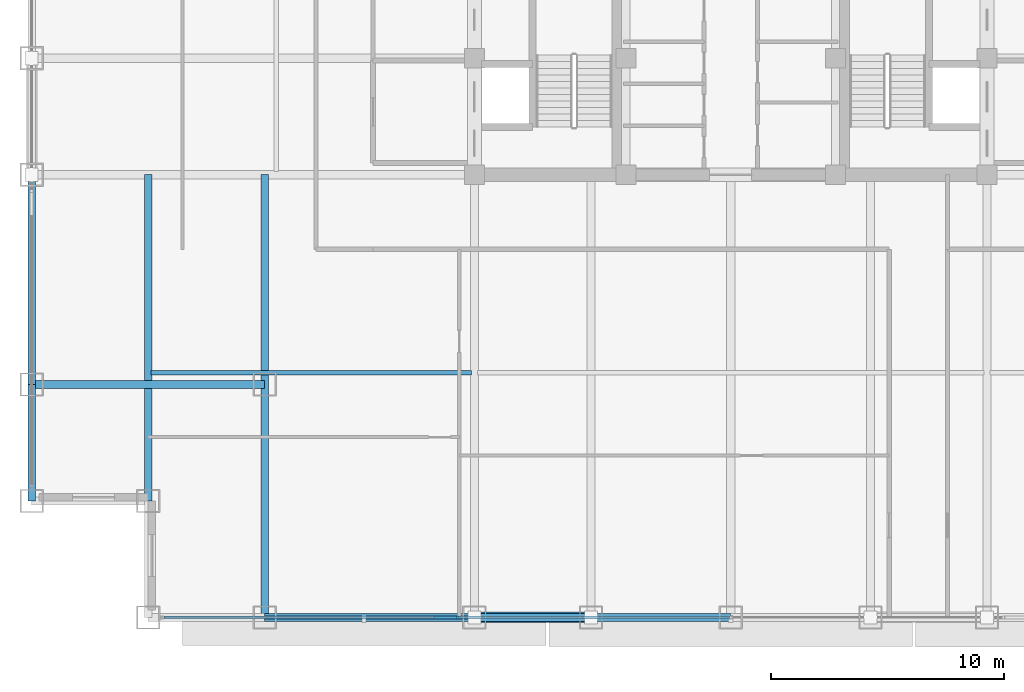
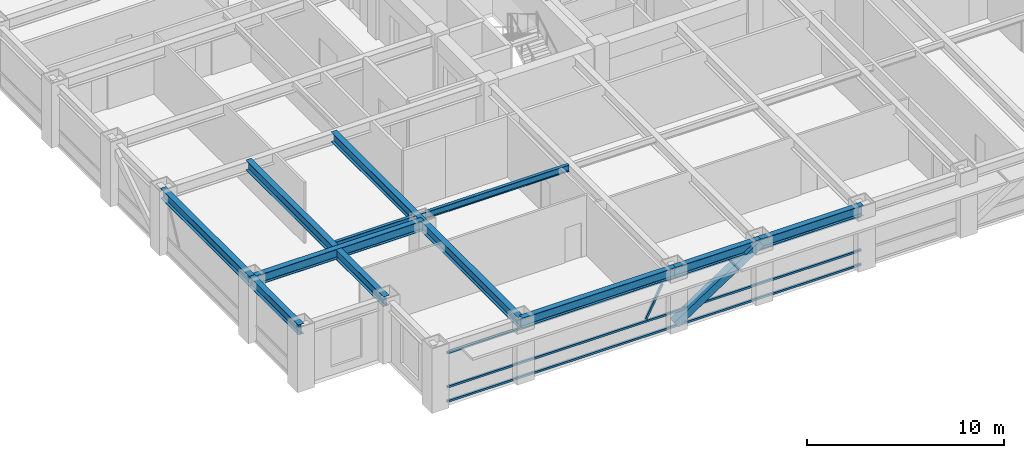
# One storey, part 3 of 29: 9 beams, 5 members, 1 element without a shape of its own.
"""IFC4 building model written with IfcOpenShell, lengths in metres."""

from ifc_helpers import new_model, si_unit, direction, frame, origin, origin_2d, place, context, subcontext, project, spatial, hollow_rectangle, i_section, extrude, source, transform, mapped, material, material_profile, profile_set, type_object, element, aggregate, save


model = new_model("IFC4")

# Units and contexts
model_context = context("Model", 3, precision=1e-05, world=origin(), true_north=direction((0.0, 1.0)))
body_context = subcontext(model_context, "Body", "Model", "MODEL_VIEW")
ifc_project = project(units=[si_unit("LENGTHUNIT", "METRE"), si_unit("AREAUNIT", "SQUARE_METRE"), si_unit("VOLUMEUNIT", "CUBIC_METRE"), si_unit("PLANEANGLEUNIT", "RADIAN"), si_unit("MASSUNIT", "GRAM", prefix="KILO")], contexts=[model_context])

# Site, building, storey
site_placement = place(None, origin())
site = spatial("IfcSite", under=ifc_project, at=site_placement, CompositionType="ELEMENT")
building_placement = place(site_placement, origin())
building = spatial("IfcBuilding", under=site, at=building_placement, Name="Khorayat Bourse Tower", CompositionType="ELEMENT")
storey_placement = place(building_placement, frame((0.0, 0.0, 235.10009765625)))
storey = spatial("IfcBuildingStorey", under=building, at=storey_placement, Name="L55", CompositionType="ELEMENT", Elevation=235.10009765625)

# Beams
ifc_material_1 = material(Name="Steel ASTM A992 Grade 50", Category="steel")
ifc_material_profile_1 = material_profile(ifc_material_1, i_section(OverallWidth=0.324951171875, OverallDepth=0.615966796875, WebThickness=0.013916015625, FlangeThickness=0.021484375, FilletRadius=0.01611328125, at=origin_2d()), Name="W610X174")
ifc_profile_set_1 = profile_set([ifc_material_profile_1], Name="Steel ASTM A992 Grade 50")
beam_type_1 = type_object("IfcBeamType", Name="BM-GIRD-610", PredefinedType="BEAM", material=ifc_profile_set_1)
shared_shape_1 = source(origin(), body_context, "Body", "SweptSolid", [
    extrude(i_section(OverallWidth=0.324951171875, OverallDepth=0.615966796875, WebThickness=0.013916015625, FlangeThickness=0.021484375, FilletRadius=0.01611328125, at=origin_2d()), origin(), (0.0, 0.0, 1.0), 19.0),
])
beam_1_placement = place(storey_placement, frame((-20.0, -30.0, 3.471923828125), z_axis=(0.0, 1.0, 0.0), x_axis=(-1.0, 0.0, 0.0)))
element("IfcBeam", 1, at=beam_1_placement, inside=storey, type_object=beam_type_1, Name="L55 BM-GIRD-610 BM-L55-CNRY-084", PredefinedType="BEAM", context=body_context, shape_type="MappedRepresentation", body=[
    mapped(shared_shape_1, transform((0.0, 0.0, 0.0), scale=1.0)),
])
shared_shape_2 = source(origin(), body_context, "Body", "SweptSolid", [
    extrude(i_section(OverallWidth=0.324951171875, OverallDepth=0.615966796875, WebThickness=0.013916015625, FlangeThickness=0.021484375, FilletRadius=0.01611328125, at=origin_2d()), origin(), (0.0, 0.0, 1.0), 10.0),
])
beam_2_placement = place(storey_placement, frame((-30.0, -20.0, 3.471923828125), z_axis=(1.0, 0.0, 0.0), x_axis=(0.0, 1.0, 0.0)))
element("IfcBeam", 2, at=beam_2_placement, inside=storey, type_object=beam_type_1, Name="L55 BM-GIRD-610 BM-L55-CNRX-093", PredefinedType="BEAM", context=body_context, shape_type="MappedRepresentation", body=[
    mapped(shared_shape_2, transform((0.0, 0.0, 0.0), scale=1.0)),
])
ifc_material_profile_2 = material_profile(ifc_material_1, i_section(OverallWidth=0.324951171875, OverallDepth=0.615966796875, WebThickness=0.013916015625, FlangeThickness=0.021484375, FilletRadius=0.01611328125, at=origin_2d()), Name="W610X174")
ifc_profile_set_2 = profile_set([ifc_material_profile_2], Name="Steel ASTM A992 Grade 50")
beam_type_2 = type_object("IfcBeamType", Name="BM-SPAN-610", PredefinedType="SPANDREL", material=ifc_profile_set_2)
shared_shape_3 = source(origin(), body_context, "Body", "SweptSolid", [
    extrude(i_section(OverallWidth=0.324951171875, OverallDepth=0.615966796875, WebThickness=0.013916015625, FlangeThickness=0.021484375, FilletRadius=0.01611328125, at=origin_2d()), origin(), (0.0, 0.0, 1.0), 9.0),
])
for number, where, z_axis, x_axis, name in (
    (3, (-20.0, -30.0, 3.471923828125), (1.0, 0.0, 0.0), (0.0, 1.0, 0.0), "L55 BM-SPAN-610 BM-L55-SPN-025"),
    (4, (-30.0, -20.0, 3.471923828125), (0.0, 1.0, 0.0), (-1.0, 0.0, 0.0), "L55 BM-SPAN-610 BM-L55-SPN-060"),
):
    element("IfcBeam", number, at=place(storey_placement, frame(where, z_axis=z_axis, x_axis=x_axis)), inside=storey, type_object=beam_type_2, Name=name, PredefinedType="SPANDREL", context=body_context, shape_type="MappedRepresentation", body=[
        mapped(shared_shape_3, transform((0.0, 0.0, 0.0), scale=1.0)),
    ])
shared_shape_4 = source(origin(), body_context, "Body", "SweptSolid", [
    extrude(i_section(OverallWidth=0.324951171875, OverallDepth=0.615966796875, WebThickness=0.013916015625, FlangeThickness=0.021484375, FilletRadius=0.01611328125, at=origin_2d()), origin(), (0.0, 0.0, 1.0), 5.0),
])
for number, where, z_axis, x_axis, name in (
    (5, (-11.0, -30.0, 3.471923828125), (1.0, 0.0, 0.0), (0.0, 1.0, 0.0), "L55 BM-SPAN-610 BM-L55-SPN-026"),
    (6, (-30.0, -25.0, 3.471923828125), (0.0, 1.0, 0.0), (-1.0, 0.0, 0.0), "L55 BM-SPAN-610 BM-L55-SPN-061"),
):
    element("IfcBeam", number, at=place(storey_placement, frame(where, z_axis=z_axis, x_axis=x_axis)), inside=storey, type_object=beam_type_2, Name=name, PredefinedType="SPANDREL", context=body_context, shape_type="MappedRepresentation", body=[
        mapped(shared_shape_4, transform((0.0, 0.0, 0.0), scale=1.0)),
    ])
shared_shape_5 = source(origin(), body_context, "Body", "SweptSolid", [
    extrude(i_section(OverallWidth=0.324951171875, OverallDepth=0.615966796875, WebThickness=0.013916015625, FlangeThickness=0.021484375, FilletRadius=0.01611328125, at=origin_2d()), origin(), (0.0, 0.0, 1.0), 6.0),
])
beam_3_placement = place(storey_placement, frame((-6.0, -30.0, 3.471923828125), z_axis=(1.0, 0.0, 0.0), x_axis=(0.0, 1.0, 0.0)))
element("IfcBeam", 7, at=beam_3_placement, inside=storey, type_object=beam_type_2, Name="L55 BM-SPAN-610 BM-L55-SPN-027", PredefinedType="SPANDREL", context=body_context, shape_type="MappedRepresentation", body=[
    mapped(shared_shape_5, transform((0.0, 0.0, 0.0), scale=1.0)),
])
shared_shape_6 = source(origin(), body_context, "Body", "SweptSolid", [
    extrude(i_section(OverallWidth=0.324951171875, OverallDepth=0.615966796875, WebThickness=0.013916015625, FlangeThickness=0.021484375, FilletRadius=0.01611328125, at=origin_2d()), origin(), (0.0, 0.0, 1.0), 14.0),
])
beam_4_placement = place(storey_placement, frame((-25.0, -25.0, 3.471923828125), z_axis=(0.0, 1.0, 0.0), x_axis=(-1.0, 0.0, 0.0)))
element("IfcBeam", 8, at=beam_4_placement, inside=storey, type_object=beam_type_1, Name="L55 BM-GIRD-610 BM-L55-CNRY-088", PredefinedType="BEAM", context=body_context, shape_type="MappedRepresentation", body=[
    mapped(shared_shape_6, transform((0.0, 0.0, 0.0), scale=1.0)),
])
ifc_material_profile_3 = material_profile(ifc_material_1, i_section(OverallWidth=0.180908203125, OverallDepth=0.4169921875, WebThickness=0.010986328125, FlangeThickness=0.018310546875, FilletRadius=0.011962890625, at=origin_2d()), Name="W410X85")
ifc_profile_set_3 = profile_set([ifc_material_profile_3], Name="Steel ASTM A992 Grade 50")
beam_type_3 = type_object("IfcBeamType", Name="BM-JOIST-410", PredefinedType="JOIST", material=ifc_profile_set_3)
shared_shape_7 = source(origin(), body_context, "Body", "SweptSolid", [
    extrude(i_section(OverallWidth=0.180908203125, OverallDepth=0.4169921875, WebThickness=0.010986328125, FlangeThickness=0.018310546875, FilletRadius=0.011962890625, at=origin_2d()), origin(), (0.0, 0.0, 1.0), 13.740234375),
])
beam_5_placement = place(storey_placement, frame((-24.8701171875, -19.5, 3.5712890625), z_axis=(1.0, 0.0, 0.0), x_axis=(0.0, 1.0, 0.0)))
element("IfcBeam", 9, at=beam_5_placement, inside=storey, type_object=beam_type_3, Name="L55 BM-JOIST-410 BM-L55-JSTX-096", PredefinedType="JOIST", context=body_context, shape_type="MappedRepresentation", body=[
    mapped(shared_shape_7, transform((0.0, 0.0, 0.0), scale=1.0)),
])

# Member
ifc_material_2 = material(Name="Steel EN 10025-4 S460M", Category="steel")
ifc_material_profile_4 = material_profile(ifc_material_2, hollow_rectangle(XDim=0.449951171875, YDim=0.449951171875, WallThickness=0.02490234375, at=origin_2d()), Name="HSS 450x450x25")
ifc_profile_set_4 = profile_set([ifc_material_profile_4], Name="Steel EN 10025-4 S460M")
member_type_1 = type_object("IfcMemberType", Name="MBR-TUBE-450", PredefinedType="BRACE", material=ifc_profile_set_4)
shared_shape_8 = source(origin(), body_context, "Body", "SweptSolid", [
    extrude(hollow_rectangle(XDim=0.449951171875, YDim=0.449951171875, WallThickness=0.02490234375, at=origin_2d()), origin(), (0.0, 0.0, 1.0), 5.979736328125),
])
member_1_placement = place(storey_placement, frame((-11.0, -30.0, 0.25), z_axis=(0.836160261256, 0.0, 0.548485202623), x_axis=(0.0, 1.0, 0.0)))
element("IfcMember", 10, at=member_1_placement, inside=storey, type_object=member_type_1, Name="L55 Perimeter Tube Brace 01", PredefinedType="BRACE", context=body_context, shape_type="MappedRepresentation", body=[
    mapped(shared_shape_8, transform((0.0, 0.0, 0.0), scale=1.0)),
])

# Curtain wall, members
ifc_material_3 = material(Name="Aluminium EN AW-6063 T6", Category="aluminium")
curtain_wall_type = type_object("IfcCurtainWallType", Name="CW-SYS-03", PredefinedType="NOTDEFINED", material=ifc_material_3)
curtain_wall_placement = place(storey_placement, origin())
curtain_wall = element("IfcCurtainWall", 11, at=curtain_wall_placement, inside=storey, type_object=curtain_wall_type, Name="L55 Curtain Wall CW-L55-S1", PredefinedType="NOTDEFINED")
ifc_material_profile_5 = material_profile(ifc_material_3, hollow_rectangle(XDim=0.1201171875, YDim=0.1201171875, WallThickness=0.0048828125, at=origin_2d()), Name="ALU 120x120x5")
ifc_profile_set_5 = profile_set([ifc_material_profile_5], Name="Aluminium EN AW-6063 T6")
member_type_2 = type_object("IfcMemberType", Name="CWM-DIAG-120", PredefinedType="MULLION", material=ifc_profile_set_5)
shared_shape_9 = source(origin(), body_context, "Body", "SweptSolid", [
    extrude(hollow_rectangle(XDim=0.1201171875, YDim=0.1201171875, WallThickness=0.0048828125, at=origin_2d()), origin(), (0.0, 0.0, 1.0), 2.079345703125),
])
member_2_placement = place(storey_placement, frame((-12.67919921875, -30.0, 1.08984375), z_axis=(0.465760949701, 0.0, 0.884910581773), x_axis=(0.0, 1.0, 0.0)))
member_2 = element("IfcMember", 12, at=member_2_placement, type_object=member_type_2, Name="CW-L55-S1 Faceted Diagonal Mullion 1", PredefinedType="MULLION", context=body_context, shape_type="MappedRepresentation", body=[
    mapped(shared_shape_9, transform((0.0, 0.0, 0.0), scale=1.0)),
])
ifc_material_profile_6 = material_profile(ifc_material_3, hollow_rectangle(XDim=0.1201171875, YDim=0.1201171875, WallThickness=0.0048828125, at=origin_2d()), Name="ALU 120x120x5")
ifc_profile_set_6 = profile_set([ifc_material_profile_6], Name="Aluminium EN AW-6063 T6")
member_type_3 = type_object("IfcMemberType", Name="CWT-HORZ-120", PredefinedType="USERDEFINED", material=ifc_profile_set_6)
shared_shape_10 = source(origin(), body_context, "Body", "SweptSolid", [
    extrude(hollow_rectangle(XDim=0.1201171875, YDim=0.1201171875, WallThickness=0.0048828125, at=origin_2d()), origin(), (0.0, 0.0, 1.0), 24.27001953125),
])
member_3_placement = place(storey_placement, frame((-24.330078125, -30.0, 0.059814453125), z_axis=(1.0, 0.0, 0.0), x_axis=(0.0, 1.0, 0.0)))
member_3 = element("IfcMember", 13, at=member_3_placement, type_object=member_type_3, Name="CW-L55-S1 Horizontal Transom 1-1", ObjectType="TRANSOM", PredefinedType="USERDEFINED", context=body_context, shape_type="MappedRepresentation", body=[
    mapped(shared_shape_10, transform((0.0, 0.0, 0.0), scale=1.0)),
])
member_4_placement = place(storey_placement, frame((-24.330078125, -30.0, 0.949951171875), z_axis=(1.0, 0.0, 0.0), x_axis=(0.0, 1.0, 0.0)))
member_4 = element("IfcMember", 14, at=member_4_placement, type_object=member_type_3, Name="CW-L55-S1 Horizontal Transom 1-2", ObjectType="TRANSOM", PredefinedType="USERDEFINED", context=body_context, shape_type="MappedRepresentation", body=[
    mapped(shared_shape_10, transform((0.0, 0.0, 0.0), scale=1.0)),
])
member_5_placement = place(storey_placement, frame((-24.330078125, -30.0, 3.06982421875), z_axis=(1.0, 0.0, 0.0), x_axis=(0.0, 1.0, 0.0)))
member_5 = element("IfcMember", 15, at=member_5_placement, type_object=member_type_3, Name="CW-L55-S1 Horizontal Transom 1-3", ObjectType="TRANSOM", PredefinedType="USERDEFINED", context=body_context, shape_type="MappedRepresentation", body=[
    mapped(shared_shape_10, transform((0.0, 0.0, 0.0), scale=1.0)),
])
aggregate(curtain_wall, [member_3, member_4, member_5, member_2])

save(model, "model.ifc")
